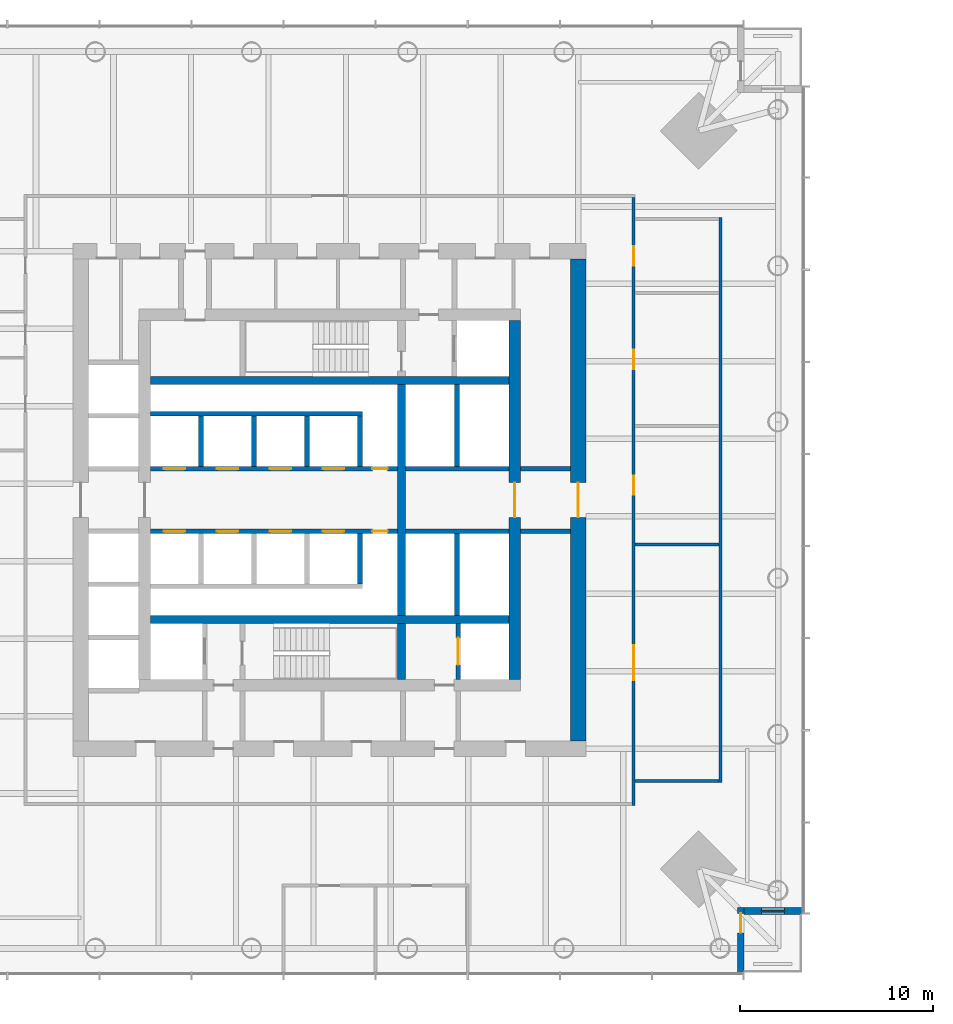
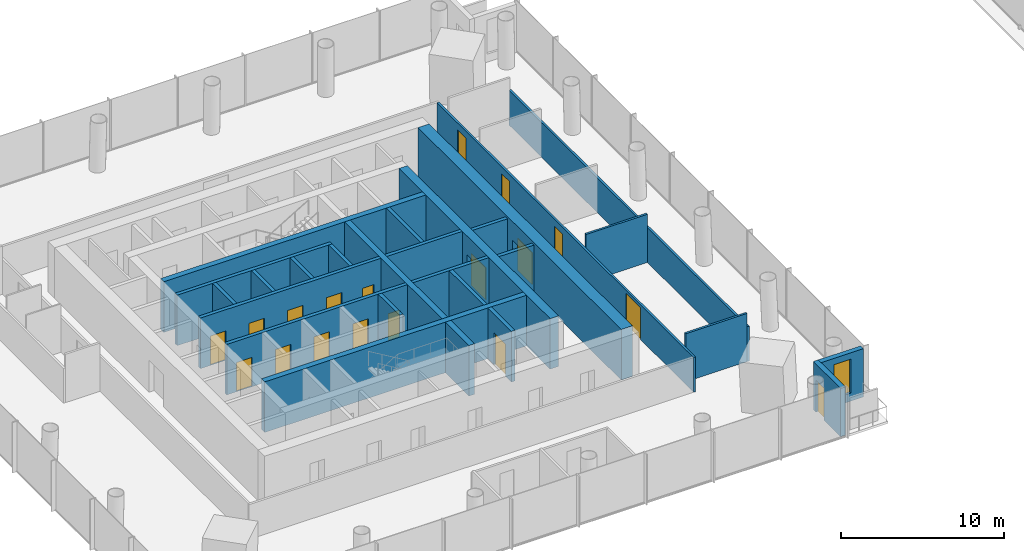
# One storey, part 10 of 21: 27 walls, 18 doors, 1 window, 19 openings.
"""IFC4 building model written with IfcOpenShell, lengths in metres."""

from ifc_helpers import new_model, si_unit, direction, frame, frame_2d, origin, place, context, subcontext, project, spatial, rectangle, extrude, material, layer, layer_set, type_object, element, fill, save


model = new_model("IFC4")

# Units and contexts
model_context = context("Model", 3, precision=1e-05, world=origin(), true_north=direction((0.0, 1.0)))
body_context = subcontext(model_context, "Body", "Model", "MODEL_VIEW")
ifc_project = project(units=[si_unit("LENGTHUNIT", "METRE"), si_unit("AREAUNIT", "SQUARE_METRE"), si_unit("VOLUMEUNIT", "CUBIC_METRE"), si_unit("PLANEANGLEUNIT", "RADIAN"), si_unit("MASSUNIT", "GRAM", prefix="KILO")], contexts=[model_context])

# Site, building, storey
site_placement = place(None, origin())
site = spatial("IfcSite", under=ifc_project, at=site_placement, CompositionType="ELEMENT")
building_placement = place(site_placement, origin())
building = spatial("IfcBuilding", under=site, at=building_placement, Name="Ostroluk Exchange", CompositionType="ELEMENT")
storey_placement = place(building_placement, frame((0.0, 0.0, 43.800048828125)))
storey = spatial("IfcBuildingStorey", under=building, at=storey_placement, Name="L10", CompositionType="ELEMENT", Elevation=43.800048828125)

# Walls
ifc_material_1 = material(Name="Concrete blockwork", Category="masonry")
ifc_layer_1 = layer(ifc_material_1, 0.25)
ifc_layer_set_1 = layer_set([ifc_layer_1], Name="Blockwork stair enclosure wall 250")
wall_type_1 = type_object("IfcWallType", Name="Blockwork stair enclosure wall 250", PredefinedType="SOLIDWALL", material=ifc_layer_set_1)
for number, where, z_axis, x_axis, name in (
    (1, (54.89990234375, 44.375, 0.0), (0.0, 0.0, 1.0), (1.0, 0.0, 0.0), "Lift lobby enclosure wall"),
    (2, (54.89990234375, 47.625, 0.0), (0.0, 0.0, 1.0), (1.0, 0.0, 0.0), "Lift lobby enclosure wall"),
):
    element("IfcWall", number, at=place(storey_placement, frame(where, z_axis=z_axis, x_axis=x_axis)), inside=storey, type_object=wall_type_1, Name=name, PredefinedType="SOLIDWALL", context=body_context, shape_type="SweptSolid", body=[
        extrude(rectangle(XDim=2.60009765625, YDim=0.25, at=frame_2d((1.300048828125, 0.0))), origin(), (0.0, 0.0, 1.0), 3.619873046875),
    ])
ifc_material_2 = material(Name="Concrete C50/60", Category="concrete")
ifc_layer_2 = layer(ifc_material_2, 0.39990234375)
ifc_layer_set_2 = layer_set([ifc_layer_2], Name="Core cross wall 400 C50/60")
wall_type_2 = type_object("IfcWallType", Name="Core cross wall 400 C50/60", PredefinedType="SHEAR", material=ifc_layer_set_2)
for number, where, z_axis, x_axis, name in (
    (3, (35.699951171875, 39.800048828125, 0.0), (0.0, 0.0, 1.0), (1.0, 0.0, 0.0), "T1 core wall XS"),
    (4, (35.699951171875, 52.199951171875, 0.0), (0.0, 0.0, 1.0), (1.0, 0.0, 0.0), "T1 core wall XN"),
):
    element("IfcWall", number, at=place(storey_placement, frame(where, z_axis=z_axis, x_axis=x_axis)), inside=storey, type_object=wall_type_2, Name=name, PredefinedType="SHEAR", context=body_context, shape_type="SweptSolid", body=[
        extrude(rectangle(XDim=18.60009765625, YDim=0.39990234375, at=frame_2d((9.300048828125, 0.0))), origin(), (0.0, 0.0, 1.0), 3.800048828125),
    ])
wall_1_placement = place(storey_placement, frame((48.72998046875, 36.699951171875, 0.0), z_axis=(0.0, 0.0, 1.0), x_axis=(0.0, 1.0, 0.0)))
element("IfcWall", 5, at=wall_1_placement, inside=storey, type_object=wall_type_2, Name="T1 core wall YE1", PredefinedType="SHEAR", context=body_context, shape_type="SweptSolid", body=[
    extrude(rectangle(XDim=2.900146484375, YDim=0.39990234375, at=frame_2d((1.4501953125, 0.0))), origin(), (0.0, 0.0, 1.0), 3.800048828125),
])
wall_2_placement = place(storey_placement, frame((48.72998046875, 40.0, 0.0), z_axis=(0.0, 0.0, 1.0), x_axis=(0.0, 1.0, 0.0)))
element("IfcWall", 6, at=wall_2_placement, inside=storey, type_object=wall_type_2, Name="T1 core wall YE2", PredefinedType="SHEAR", context=body_context, shape_type="SweptSolid", body=[
    extrude(rectangle(XDim=12.0, YDim=0.39990234375, at=frame_2d((6.0, 0.0))), origin(), (0.0, 0.0, 1.0), 3.800048828125),
])

# Wall, opening, door
ifc_material_3 = material(Name="Concrete C40/50", Category="concrete")
ifc_layer_3 = layer(ifc_material_3, 0.25)
ifc_layer_set_3 = layer_set([ifc_layer_3], Name="Core shaft wall 250")
wall_type_3 = type_object("IfcWallType", Name="Core shaft wall 250", PredefinedType="SHEAR", material=ifc_layer_set_3)
wall_3_placement = place(storey_placement, frame((51.675048828125, 36.699951171875, 0.0), z_axis=(0.0, 0.0, 1.0), x_axis=(0.0, 1.0, 0.0)))
wall_3 = element("IfcWall", 7, at=wall_3_placement, inside=storey, type_object=wall_type_3, Name="Service lift shaft wall", PredefinedType="SHEAR", context=body_context, shape_type="SweptSolid", body=[
    extrude(rectangle(XDim=2.900146484375, YDim=0.25, at=frame_2d((1.4501953125, 0.0))), origin(), (0.0, 0.0, 1.0), 3.800048828125),
])
opening_1_placement = place(wall_3_placement, frame((0.75, 0.0, 0.0)))
opening_1 = element("IfcOpeningElement", 8, at=opening_1_placement, cuts=wall_3, Name="Opening LD3", PredefinedType="OPENING", context=body_context, shape_type="SweptSolid", body=[
    extrude(rectangle(XDim=1.39990234375, YDim=2.39990234375, at=frame_2d((0.699951171875, 1.199951171875))), frame((0.0, 0.135009765625, 0.0), z_axis=(0.0, -1.0, 0.0), x_axis=(1.0, 0.0, 0.0)), (0.0, 0.0, 1.0), 0.27001953125),
])
ifc_material_4 = material(Name="Stainless steel", Category="steel")
door_type_1 = type_object("IfcDoorType", Name="Goods lift landing door E 60 1400 x 2400", OperationType="DOUBLE_DOOR_SLIDING", PredefinedType="DOOR", material=ifc_material_4)
door_1_placement = place(opening_1_placement, origin())
door_1 = element("IfcDoor", 9, at=door_1_placement, inside=storey, type_object=door_type_1, Name="Lift SL1 landing door", OperationType="DOUBLE_DOOR_SLIDING", OverallHeight=2.39990234375, OverallWidth=1.39990234375, PredefinedType="DOOR", context=body_context, shape_type="SweptSolid", body=[
    extrude(rectangle(XDim=1.39990234375, YDim=2.39990234375, at=frame_2d((0.699951171875, 1.199951171875))), frame((0.0, 0.02490234375, 0.0), z_axis=(0.0, -1.0, 0.0), x_axis=(1.0, 0.0, 0.0)), (0.0, 0.0, 1.0), 0.050048828125),
])
fill(opening_1, door_1)

# Walls
for number, where, z_axis, x_axis, name in (
    (10, (38.324951171875, 47.75, 0.0), (0.0, 0.0, 1.0), (0.0, 1.0, 0.0), "Lift shaft wall"),
    (11, (41.074951171875, 47.75, 0.0), (0.0, 0.0, 1.0), (0.0, 1.0, 0.0), "Lift shaft wall"),
    (12, (43.824951171875, 47.75, 0.0), (0.0, 0.0, 1.0), (0.0, 1.0, 0.0), "Lift shaft wall"),
    (13, (46.574951171875, 47.75, 0.0), (0.0, 0.0, 1.0), (0.0, 1.0, 0.0), "Lift shaft wall"),
):
    element("IfcWall", number, at=place(storey_placement, frame(where, z_axis=z_axis, x_axis=x_axis)), inside=storey, type_object=wall_type_3, Name=name, PredefinedType="SHEAR", context=body_context, shape_type="SweptSolid", body=[
        extrude(rectangle(XDim=2.60009765625, YDim=0.25, at=frame_2d((1.300048828125, 0.0))), origin(), (0.0, 0.0, 1.0), 3.800048828125),
    ])
wall_4_placement = place(storey_placement, frame((35.699951171875, 50.47509765625, 0.0), z_axis=(0.0, 0.0, 1.0), x_axis=(1.0, 0.0, 0.0)))
element("IfcWall", 14, at=wall_4_placement, inside=storey, type_object=wall_type_3, Name="Lift shaft wall", PredefinedType="SHEAR", context=body_context, shape_type="SweptSolid", body=[
    extrude(rectangle(XDim=11.0, YDim=0.25, at=frame_2d((5.5, 0.0))), origin(), (0.0, 0.0, 1.0), 3.800048828125),
])

# Wall, openings, doors
wall_5_placement = place(storey_placement, frame((35.699951171875, 47.625, 0.0), z_axis=(0.0, 0.0, 1.0), x_axis=(1.0, 0.0, 0.0)))
wall_5 = element("IfcWall", 15, at=wall_5_placement, inside=storey, type_object=wall_type_3, Name="Lift shaft front wall", PredefinedType="SHEAR", context=body_context, shape_type="SweptSolid", body=[
    extrude(rectangle(XDim=12.830078125, YDim=0.25, at=frame_2d((6.4150390625, 0.0))), origin(), (0.0, 0.0, 1.0), 3.800048828125),
])
opening_2_placement = place(wall_5_placement, frame((0.699951171875, 0.0, 0.0)))
opening_2 = element("IfcOpeningElement", 16, at=opening_2_placement, cuts=wall_5, Name="Opening LD", PredefinedType="OPENING", context=body_context, shape_type="SweptSolid", body=[
    extrude(rectangle(XDim=1.10009765625, YDim=2.199951171875, at=frame_2d((0.550048828125, 1.10009765625))), frame((0.0, 0.135009765625, 0.0), z_axis=(0.0, -1.0, 0.0), x_axis=(1.0, 0.0, 0.0)), (0.0, 0.0, 1.0), 0.27001953125),
])
opening_3_placement = place(wall_5_placement, frame((3.449951171875, 0.0, 0.0)))
opening_3 = element("IfcOpeningElement", 17, at=opening_3_placement, cuts=wall_5, Name="Opening LD", PredefinedType="OPENING", context=body_context, shape_type="SweptSolid", body=[
    extrude(rectangle(XDim=1.10009765625, YDim=2.199951171875, at=frame_2d((0.550048828125, 1.10009765625))), frame((0.0, 0.135009765625, 0.0), z_axis=(0.0, -1.0, 0.0), x_axis=(1.0, 0.0, 0.0)), (0.0, 0.0, 1.0), 0.27001953125),
])
opening_4_placement = place(wall_5_placement, frame((6.199951171875, 0.0, 0.0)))
opening_4 = element("IfcOpeningElement", 18, at=opening_4_placement, cuts=wall_5, Name="Opening LD", PredefinedType="OPENING", context=body_context, shape_type="SweptSolid", body=[
    extrude(rectangle(XDim=1.10009765625, YDim=2.199951171875, at=frame_2d((0.550048828125, 1.10009765625))), frame((0.0, 0.135009765625, 0.0), z_axis=(0.0, -1.0, 0.0), x_axis=(1.0, 0.0, 0.0)), (0.0, 0.0, 1.0), 0.27001953125),
])
opening_5_placement = place(wall_5_placement, frame((8.949951171875, 0.0, 0.0)))
opening_5 = element("IfcOpeningElement", 19, at=opening_5_placement, cuts=wall_5, Name="Opening LD", PredefinedType="OPENING", context=body_context, shape_type="SweptSolid", body=[
    extrude(rectangle(XDim=1.10009765625, YDim=2.199951171875, at=frame_2d((0.550048828125, 1.10009765625))), frame((0.0, 0.135009765625, 0.0), z_axis=(0.0, -1.0, 0.0), x_axis=(1.0, 0.0, 0.0)), (0.0, 0.0, 1.0), 0.27001953125),
])
opening_6_placement = place(wall_5_placement, frame((11.514892578125, 0.0, 0.0)))
opening_6 = element("IfcOpeningElement", 20, at=opening_6_placement, cuts=wall_5, Name="Opening RD60", PredefinedType="OPENING", context=body_context, shape_type="SweptSolid", body=[
    extrude(rectangle(XDim=0.800048828125, YDim=2.0, at=frame_2d((0.39990234375, 1.0))), frame((0.0, 0.135009765625, 0.0), z_axis=(0.0, -1.0, 0.0), x_axis=(1.0, 0.0, 0.0)), (0.0, 0.0, 1.0), 0.27001953125),
])
ifc_material_5 = material(Name="Stainless steel", Category="steel")
door_type_2 = type_object("IfcDoorType", Name="Lift landing door E 60 1100 x 2200", OperationType="DOUBLE_DOOR_SLIDING", PredefinedType="DOOR", material=ifc_material_5)
door_2_placement = place(opening_2_placement, origin())
door_2 = element("IfcDoor", 21, at=door_2_placement, inside=storey, type_object=door_type_2, Name="Lift PL-L1 landing door", OperationType="DOUBLE_DOOR_SLIDING", OverallHeight=2.199951171875, OverallWidth=1.10009765625, PredefinedType="DOOR", context=body_context, shape_type="SweptSolid", body=[
    extrude(rectangle(XDim=1.10009765625, YDim=2.199951171875, at=frame_2d((0.550048828125, 1.10009765625))), frame((0.0, 0.02490234375, 0.0), z_axis=(0.0, -1.0, 0.0), x_axis=(1.0, 0.0, 0.0)), (0.0, 0.0, 1.0), 0.050048828125),
])
fill(opening_2, door_2)
door_3_placement = place(opening_3_placement, origin())
door_3 = element("IfcDoor", 22, at=door_3_placement, inside=storey, type_object=door_type_2, Name="Lift PL-L2 landing door", OperationType="DOUBLE_DOOR_SLIDING", OverallHeight=2.199951171875, OverallWidth=1.10009765625, PredefinedType="DOOR", context=body_context, shape_type="SweptSolid", body=[
    extrude(rectangle(XDim=1.10009765625, YDim=2.199951171875, at=frame_2d((0.550048828125, 1.10009765625))), frame((0.0, 0.02490234375, 0.0), z_axis=(0.0, -1.0, 0.0), x_axis=(1.0, 0.0, 0.0)), (0.0, 0.0, 1.0), 0.050048828125),
])
fill(opening_3, door_3)
door_4_placement = place(opening_4_placement, origin())
door_4 = element("IfcDoor", 23, at=door_4_placement, inside=storey, type_object=door_type_2, Name="Lift PL-L3 landing door", OperationType="DOUBLE_DOOR_SLIDING", OverallHeight=2.199951171875, OverallWidth=1.10009765625, PredefinedType="DOOR", context=body_context, shape_type="SweptSolid", body=[
    extrude(rectangle(XDim=1.10009765625, YDim=2.199951171875, at=frame_2d((0.550048828125, 1.10009765625))), frame((0.0, 0.02490234375, 0.0), z_axis=(0.0, -1.0, 0.0), x_axis=(1.0, 0.0, 0.0)), (0.0, 0.0, 1.0), 0.050048828125),
])
fill(opening_4, door_4)
door_5_placement = place(opening_5_placement, origin())
door_5 = element("IfcDoor", 24, at=door_5_placement, inside=storey, type_object=door_type_2, Name="Lift PL-L4 landing door", OperationType="DOUBLE_DOOR_SLIDING", OverallHeight=2.199951171875, OverallWidth=1.10009765625, PredefinedType="DOOR", context=body_context, shape_type="SweptSolid", body=[
    extrude(rectangle(XDim=1.10009765625, YDim=2.199951171875, at=frame_2d((0.550048828125, 1.10009765625))), frame((0.0, 0.02490234375, 0.0), z_axis=(0.0, -1.0, 0.0), x_axis=(1.0, 0.0, 0.0)), (0.0, 0.0, 1.0), 0.050048828125),
])
fill(opening_5, door_5)
ifc_material_6 = material(Name="Steel", Category="steel")
door_type_3 = type_object("IfcDoorType", Name="Riser access door EI 60 800 x 2000", OperationType="SINGLE_SWING_LEFT", PredefinedType="DOOR", material=ifc_material_6)
door_6_placement = place(opening_6_placement, origin())
door_6 = element("IfcDoor", 25, at=door_6_placement, inside=storey, type_object=door_type_3, Name="Riser access door", OperationType="SINGLE_SWING_RIGHT", OverallHeight=2.0, OverallWidth=0.800048828125, PredefinedType="DOOR", context=body_context, shape_type="SweptSolid", body=[
    extrude(rectangle(XDim=0.800048828125, YDim=2.0, at=frame_2d((0.39990234375, 1.0))), frame((0.0, 0.02490234375, 0.0), z_axis=(0.0, -1.0, 0.0), x_axis=(1.0, 0.0, 0.0)), (0.0, 0.0, 1.0), 0.050048828125),
])
fill(opening_6, door_6)

# Wall
wall_6_placement = place(storey_placement, frame((46.574951171875, 44.25, 0.0), z_axis=(0.0, 0.0, 1.0), x_axis=(0.0, -1.0, 0.0)))
element("IfcWall", 26, at=wall_6_placement, inside=storey, type_object=wall_type_3, Name="Lift shaft wall", PredefinedType="SHEAR", context=body_context, shape_type="SweptSolid", body=[
    extrude(rectangle(XDim=2.60009765625, YDim=0.25, at=frame_2d((1.300048828125, 0.0))), origin(), (0.0, 0.0, 1.0), 3.800048828125),
])

# Wall, openings, doors
wall_7_placement = place(storey_placement, frame((35.699951171875, 44.375, 0.0), z_axis=(0.0, 0.0, 1.0), x_axis=(1.0, 0.0, 0.0)))
wall_7 = element("IfcWall", 27, at=wall_7_placement, inside=storey, type_object=wall_type_3, Name="Lift shaft front wall", PredefinedType="SHEAR", context=body_context, shape_type="SweptSolid", body=[
    extrude(rectangle(XDim=12.830078125, YDim=0.25, at=frame_2d((6.4150390625, 0.0))), origin(), (0.0, 0.0, 1.0), 3.800048828125),
])
opening_7_placement = place(wall_7_placement, frame((0.699951171875, 0.0, 0.0)))
opening_7 = element("IfcOpeningElement", 28, at=opening_7_placement, cuts=wall_7, Name="Opening LD", PredefinedType="OPENING", context=body_context, shape_type="SweptSolid", body=[
    extrude(rectangle(XDim=1.10009765625, YDim=2.199951171875, at=frame_2d((0.550048828125, 1.10009765625))), frame((0.0, 0.135009765625, 0.0), z_axis=(0.0, -1.0, 0.0), x_axis=(1.0, 0.0, 0.0)), (0.0, 0.0, 1.0), 0.27001953125),
])
opening_8_placement = place(wall_7_placement, frame((3.449951171875, 0.0, 0.0)))
opening_8 = element("IfcOpeningElement", 29, at=opening_8_placement, cuts=wall_7, Name="Opening LD", PredefinedType="OPENING", context=body_context, shape_type="SweptSolid", body=[
    extrude(rectangle(XDim=1.10009765625, YDim=2.199951171875, at=frame_2d((0.550048828125, 1.10009765625))), frame((0.0, 0.135009765625, 0.0), z_axis=(0.0, -1.0, 0.0), x_axis=(1.0, 0.0, 0.0)), (0.0, 0.0, 1.0), 0.27001953125),
])
opening_9_placement = place(wall_7_placement, frame((6.199951171875, 0.0, 0.0)))
opening_9 = element("IfcOpeningElement", 30, at=opening_9_placement, cuts=wall_7, Name="Opening LD", PredefinedType="OPENING", context=body_context, shape_type="SweptSolid", body=[
    extrude(rectangle(XDim=1.10009765625, YDim=2.199951171875, at=frame_2d((0.550048828125, 1.10009765625))), frame((0.0, 0.135009765625, 0.0), z_axis=(0.0, -1.0, 0.0), x_axis=(1.0, 0.0, 0.0)), (0.0, 0.0, 1.0), 0.27001953125),
])
opening_10_placement = place(wall_7_placement, frame((8.949951171875, 0.0, 0.0)))
opening_10 = element("IfcOpeningElement", 31, at=opening_10_placement, cuts=wall_7, Name="Opening LD", PredefinedType="OPENING", context=body_context, shape_type="SweptSolid", body=[
    extrude(rectangle(XDim=1.10009765625, YDim=2.199951171875, at=frame_2d((0.550048828125, 1.10009765625))), frame((0.0, 0.135009765625, 0.0), z_axis=(0.0, -1.0, 0.0), x_axis=(1.0, 0.0, 0.0)), (0.0, 0.0, 1.0), 0.27001953125),
])
opening_11_placement = place(wall_7_placement, frame((11.514892578125, 0.0, 0.0)))
opening_11 = element("IfcOpeningElement", 32, at=opening_11_placement, cuts=wall_7, Name="Opening RD60", PredefinedType="OPENING", context=body_context, shape_type="SweptSolid", body=[
    extrude(rectangle(XDim=0.800048828125, YDim=2.0, at=frame_2d((0.39990234375, 1.0))), frame((0.0, 0.135009765625, 0.0), z_axis=(0.0, -1.0, 0.0), x_axis=(1.0, 0.0, 0.0)), (0.0, 0.0, 1.0), 0.27001953125),
])
door_7_placement = place(opening_7_placement, origin())
door_7 = element("IfcDoor", 33, at=door_7_placement, inside=storey, type_object=door_type_2, Name="Lift PL-L5 landing door", OperationType="DOUBLE_DOOR_SLIDING", OverallHeight=2.199951171875, OverallWidth=1.10009765625, PredefinedType="DOOR", context=body_context, shape_type="SweptSolid", body=[
    extrude(rectangle(XDim=1.10009765625, YDim=2.199951171875, at=frame_2d((0.550048828125, 1.10009765625))), frame((0.0, 0.02490234375, 0.0), z_axis=(0.0, -1.0, 0.0), x_axis=(1.0, 0.0, 0.0)), (0.0, 0.0, 1.0), 0.050048828125),
])
fill(opening_7, door_7)
door_8_placement = place(opening_8_placement, origin())
door_8 = element("IfcDoor", 34, at=door_8_placement, inside=storey, type_object=door_type_2, Name="Lift PL-L6 landing door", OperationType="DOUBLE_DOOR_SLIDING", OverallHeight=2.199951171875, OverallWidth=1.10009765625, PredefinedType="DOOR", context=body_context, shape_type="SweptSolid", body=[
    extrude(rectangle(XDim=1.10009765625, YDim=2.199951171875, at=frame_2d((0.550048828125, 1.10009765625))), frame((0.0, 0.02490234375, 0.0), z_axis=(0.0, -1.0, 0.0), x_axis=(1.0, 0.0, 0.0)), (0.0, 0.0, 1.0), 0.050048828125),
])
fill(opening_8, door_8)
door_9_placement = place(opening_9_placement, origin())
door_9 = element("IfcDoor", 35, at=door_9_placement, inside=storey, type_object=door_type_2, Name="Lift PL-L7 landing door", OperationType="DOUBLE_DOOR_SLIDING", OverallHeight=2.199951171875, OverallWidth=1.10009765625, PredefinedType="DOOR", context=body_context, shape_type="SweptSolid", body=[
    extrude(rectangle(XDim=1.10009765625, YDim=2.199951171875, at=frame_2d((0.550048828125, 1.10009765625))), frame((0.0, 0.02490234375, 0.0), z_axis=(0.0, -1.0, 0.0), x_axis=(1.0, 0.0, 0.0)), (0.0, 0.0, 1.0), 0.050048828125),
])
fill(opening_9, door_9)
door_10_placement = place(opening_10_placement, origin())
door_10 = element("IfcDoor", 36, at=door_10_placement, inside=storey, type_object=door_type_2, Name="Lift PL-L8 landing door", OperationType="DOUBLE_DOOR_SLIDING", OverallHeight=2.199951171875, OverallWidth=1.10009765625, PredefinedType="DOOR", context=body_context, shape_type="SweptSolid", body=[
    extrude(rectangle(XDim=1.10009765625, YDim=2.199951171875, at=frame_2d((0.550048828125, 1.10009765625))), frame((0.0, 0.02490234375, 0.0), z_axis=(0.0, -1.0, 0.0), x_axis=(1.0, 0.0, 0.0)), (0.0, 0.0, 1.0), 0.050048828125),
])
fill(opening_10, door_10)
door_11_placement = place(opening_11_placement, origin())
door_11 = element("IfcDoor", 37, at=door_11_placement, inside=storey, type_object=door_type_3, Name="Riser access door", OperationType="SINGLE_SWING_RIGHT", OverallHeight=2.0, OverallWidth=0.800048828125, PredefinedType="DOOR", context=body_context, shape_type="SweptSolid", body=[
    extrude(rectangle(XDim=0.800048828125, YDim=2.0, at=frame_2d((0.39990234375, 1.0))), frame((0.0, 0.02490234375, 0.0), z_axis=(0.0, -1.0, 0.0), x_axis=(1.0, 0.0, 0.0)), (0.0, 0.0, 1.0), 0.050048828125),
])
fill(opening_11, door_11)

# Walls
wall_8_placement = place(storey_placement, frame((51.614990234375, 47.75, 0.0), z_axis=(0.0, 0.0, 1.0), x_axis=(0.0, 1.0, 0.0)))
element("IfcWall", 38, at=wall_8_placement, inside=storey, type_object=wall_type_3, Name="Lift shaft wall", PredefinedType="SHEAR", context=body_context, shape_type="SweptSolid", body=[
    extrude(rectangle(XDim=4.25, YDim=0.25, at=frame_2d((2.125, 0.0))), origin(), (0.0, 0.0, 1.0), 3.800048828125),
])
wall_9_placement = place(storey_placement, frame((48.929931640625, 47.625, 0.0), z_axis=(0.0, 0.0, 1.0), x_axis=(1.0, 0.0, 0.0)))
element("IfcWall", 39, at=wall_9_placement, inside=storey, type_object=wall_type_3, Name="Lift shaft front wall", PredefinedType="SHEAR", context=body_context, shape_type="SweptSolid", body=[
    extrude(rectangle(XDim=5.3701171875, YDim=0.25, at=frame_2d((2.68505859375, 0.0))), origin(), (0.0, 0.0, 1.0), 3.800048828125),
])
wall_10_placement = place(storey_placement, frame((51.614990234375, 44.25, 0.0), z_axis=(0.0, 0.0, 1.0), x_axis=(0.0, -1.0, 0.0)))
element("IfcWall", 40, at=wall_10_placement, inside=storey, type_object=wall_type_3, Name="Lift shaft wall", PredefinedType="SHEAR", context=body_context, shape_type="SweptSolid", body=[
    extrude(rectangle(XDim=4.25, YDim=0.25, at=frame_2d((2.125, 0.0))), origin(), (0.0, 0.0, 1.0), 3.800048828125),
])
wall_11_placement = place(storey_placement, frame((48.929931640625, 44.375, 0.0), z_axis=(0.0, 0.0, 1.0), x_axis=(1.0, 0.0, 0.0)))
element("IfcWall", 41, at=wall_11_placement, inside=storey, type_object=wall_type_3, Name="Lift shaft front wall", PredefinedType="SHEAR", context=body_context, shape_type="SweptSolid", body=[
    extrude(rectangle(XDim=5.3701171875, YDim=0.25, at=frame_2d((2.68505859375, 0.0))), origin(), (0.0, 0.0, 1.0), 3.800048828125),
])

# Wall, opening, door
ifc_material_7 = material(Name="Concrete C50/60", Category="concrete")
ifc_layer_4 = layer(ifc_material_7, 0.60009765625)
ifc_layer_set_4 = layer_set([ifc_layer_4], Name="Core wall 600 C50/60")
wall_type_4 = type_object("IfcWallType", Name="Core wall 600 C50/60", PredefinedType="SHEAR", material=ifc_layer_set_4)
wall_12_placement = place(storey_placement, frame((54.60009765625, 36.699951171875, 0.0), z_axis=(0.0, 0.0, 1.0), x_axis=(0.0, 1.0, 0.0)))
wall_12 = element("IfcWall", 42, at=wall_12_placement, inside=storey, type_object=wall_type_4, Name="T1 core wall E", PredefinedType="SHEAR", context=body_context, shape_type="SweptSolid", body=[
    extrude(rectangle(XDim=18.60009765625, YDim=0.60009765625, at=frame_2d((9.300048828125, 0.0))), origin(), (0.0, 0.0, 1.0), 3.800048828125),
])
opening_12_placement = place(wall_12_placement, frame((8.39990234375, 0.0, 0.0)))
opening_12 = element("IfcOpeningElement", 43, at=opening_12_placement, cuts=wall_12, Name="Opening FD30D", PredefinedType="OPENING", context=body_context, shape_type="SweptSolid", body=[
    extrude(rectangle(XDim=1.800048828125, YDim=2.39990234375, at=frame_2d((0.89990234375, 1.199951171875))), frame((0.0, 0.31005859375, 0.0), z_axis=(0.0, -1.0, 0.0), x_axis=(1.0, 0.0, 0.0)), (0.0, 0.0, 1.0), 0.6201171875),
])
ifc_material_8 = material(Name="Timber", Category="wood")
door_type_4 = type_object("IfcDoorType", Name="Lobby double door EI 30 1800 x 2400", OperationType="DOUBLE_DOOR_SINGLE_SWING", PredefinedType="DOOR", material=ifc_material_8)
door_12_placement = place(opening_12_placement, origin())
door_12 = element("IfcDoor", 44, at=door_12_placement, inside=storey, type_object=door_type_4, Name="Lift lobby doors", OperationType="DOUBLE_DOOR_SINGLE_SWING", OverallHeight=2.39990234375, OverallWidth=1.800048828125, PredefinedType="DOOR", context=body_context, shape_type="SweptSolid", body=[
    extrude(rectangle(XDim=1.800048828125, YDim=2.39990234375, at=frame_2d((0.89990234375, 1.199951171875))), frame((0.0, 0.02490234375, 0.0), z_axis=(0.0, -1.0, 0.0), x_axis=(1.0, 0.0, 0.0)), (0.0, 0.0, 1.0), 0.050048828125),
])
fill(opening_12, door_12)

ifc_material_9 = material(Name="Concrete C50/60", Category="concrete")
ifc_layer_5 = layer(ifc_material_9, 0.800048828125)
ifc_layer_set_5 = layer_set([ifc_layer_5], Name="Core wall 800 C50/60")
wall_type_5 = type_object("IfcWallType", Name="Core wall 800 C50/60", PredefinedType="SHEAR", material=ifc_layer_set_5)
wall_13_placement = place(storey_placement, frame((57.89990234375, 33.5, 0.0), z_axis=(0.0, 0.0, 1.0), x_axis=(0.0, 1.0, 0.0)))
wall_13 = element("IfcWall", 45, at=wall_13_placement, inside=storey, type_object=wall_type_5, Name="T1 core wall RE", PredefinedType="SHEAR", context=body_context, shape_type="SweptSolid", body=[
    extrude(rectangle(XDim=25.0, YDim=0.800048828125, at=frame_2d((12.5, 0.0))), origin(), (0.0, 0.0, 1.0), 3.800048828125),
])
opening_13_placement = place(wall_13_placement, frame((11.60009765625, 0.0, 0.0)))
opening_13 = element("IfcOpeningElement", 46, at=opening_13_placement, cuts=wall_13, Name="Opening FD30D", PredefinedType="OPENING", context=body_context, shape_type="SweptSolid", body=[
    extrude(rectangle(XDim=1.800048828125, YDim=2.39990234375, at=frame_2d((0.89990234375, 1.199951171875))), frame((0.0, 0.409912109375, 0.0), z_axis=(0.0, -1.0, 0.0), x_axis=(1.0, 0.0, 0.0)), (0.0, 0.0, 1.0), 0.820068359375),
])
door_13_placement = place(opening_13_placement, origin())
door_13 = element("IfcDoor", 47, at=door_13_placement, inside=storey, type_object=door_type_4, Name="Lift lobby doors", OperationType="DOUBLE_DOOR_SINGLE_SWING", OverallHeight=2.39990234375, OverallWidth=1.800048828125, PredefinedType="DOOR", context=body_context, shape_type="SweptSolid", body=[
    extrude(rectangle(XDim=1.800048828125, YDim=2.39990234375, at=frame_2d((0.89990234375, 1.199951171875))), frame((0.0, 0.02490234375, 0.0), z_axis=(0.0, -1.0, 0.0), x_axis=(1.0, 0.0, 0.0)), (0.0, 0.0, 1.0), 0.050048828125),
])
fill(opening_13, door_13)

ifc_material_10 = material(Name="Limestone", Category="masonry")
ifc_layer_6 = layer(ifc_material_10, 0.35009765625)
ifc_layer_set_6 = layer_set([ifc_layer_6], Name="Limestone facade wall 350")
wall_type_6 = type_object("IfcWallType", Name="Limestone facade wall 350", PredefinedType="SOLIDWALL", material=ifc_layer_set_6)
wall_14_placement = place(storey_placement, frame((66.324951171875, 21.5, 0.0), z_axis=(0.0, 0.0, 1.0), x_axis=(0.0, 1.0, 0.0)))
wall_14 = element("IfcWall", 48, at=wall_14_placement, inside=storey, type_object=wall_type_6, Name="Office tower SE corner wall L10 a", PredefinedType="SOLIDWALL", context=body_context, shape_type="SweptSolid", body=[
    extrude(rectangle(XDim=3.35009765625, YDim=0.35009765625, at=frame_2d((1.675048828125, 0.0))), origin(), (0.0, 0.0, 1.0), 3.619873046875),
])
opening_14_placement = place(wall_14_placement, frame((2.050048828125, 0.0, 0.0)))
opening_14 = element("IfcOpeningElement", 49, at=opening_14_placement, cuts=wall_14, Name="Opening D-B1", PredefinedType="OPENING", context=body_context, shape_type="SweptSolid", body=[
    extrude(rectangle(XDim=1.0, YDim=2.39990234375, at=frame_2d((0.5, 1.199951171875))), frame((0.0, 0.18505859375, 0.0), z_axis=(0.0, -1.0, 0.0), x_axis=(1.0, 0.0, 0.0)), (0.0, 0.0, 1.0), 0.3701171875),
])
ifc_material_11 = material(Name="Bronze framed glazed door", Category="aluminium")
door_type_5 = type_object("IfcDoorType", Name="Balcony door 1000 x 2400", OperationType="SINGLE_SWING_LEFT", PredefinedType="DOOR", material=ifc_material_11)
door_14_placement = place(opening_14_placement, origin())
door_14 = element("IfcDoor", 50, at=door_14_placement, inside=storey, type_object=door_type_5, Name="Office tower SE balcony door L10", OperationType="SINGLE_SWING_RIGHT", OverallHeight=2.39990234375, OverallWidth=1.0, PredefinedType="DOOR", context=body_context, shape_type="SweptSolid", body=[
    extrude(rectangle(XDim=1.0, YDim=2.39990234375, at=frame_2d((0.5, 1.199951171875))), frame((0.0, 0.02490234375, 0.0), z_axis=(0.0, -1.0, 0.0), x_axis=(1.0, 0.0, 0.0)), (0.0, 0.0, 1.0), 0.050048828125),
])
fill(opening_14, door_14)

# Wall, opening, window
wall_15_placement = place(storey_placement, frame((66.5, 24.675048828125, 0.0), z_axis=(0.0, 0.0, 1.0), x_axis=(1.0, 0.0, 0.0)))
wall_15 = element("IfcWall", 51, at=wall_15_placement, inside=storey, type_object=wall_type_6, Name="Office tower SE corner wall L10 b", PredefinedType="SOLIDWALL", context=body_context, shape_type="SweptSolid", body=[
    extrude(rectangle(XDim=3.0, YDim=0.35009765625, at=frame_2d((1.5, 0.0))), origin(), (0.0, 0.0, 1.0), 3.619873046875),
])
opening_15_placement = place(wall_15_placement, frame((0.89990234375, 0.0, 0.60009765625)))
opening_15 = element("IfcOpeningElement", 52, at=opening_15_placement, cuts=wall_15, Name="Opening WN-L1", PredefinedType="OPENING", context=body_context, shape_type="SweptSolid", body=[
    extrude(rectangle(XDim=1.199951171875, YDim=2.550048828125, at=frame_2d((0.60009765625, 1.27490234375))), frame((0.0, 0.18505859375, 0.0), z_axis=(0.0, -1.0, 0.0), x_axis=(1.0, 0.0, 0.0)), (0.0, 0.0, 1.0), 0.3701171875),
])
ifc_material_12 = material(Name="Laminated clear glass", Category="glass")
window_type = type_object("IfcWindowType", Name="Lancet window 1200 x 2550", PartitioningType="SINGLE_PANEL", PredefinedType="WINDOW", material=ifc_material_12)
window_placement = place(opening_15_placement, origin())
window = element("IfcWindow", 53, at=window_placement, inside=storey, type_object=window_type, Name="Office tower SE lancet window L10", OverallHeight=2.550048828125, OverallWidth=1.199951171875, PartitioningType="SINGLE_PANEL", PredefinedType="WINDOW", context=body_context, shape_type="SweptSolid", body=[
    extrude(rectangle(XDim=1.199951171875, YDim=2.550048828125, at=frame_2d((0.60009765625, 1.27490234375))), frame((0.0, 0.030029296875, 0.0), z_axis=(0.0, -1.0, 0.0), x_axis=(1.0, 0.0, 0.0)), (0.0, 0.0, 1.0), 0.06005859375),
])
fill(opening_15, window)

# Walls
ifc_material_13 = material(Name="Gypsum plasterboard partition", Category="gypsum")
ifc_layer_7 = layer(ifc_material_13, 0.14990234375)
ifc_layer_set_7 = layer_set([ifc_layer_7], Name="Plasterboard partition 150")
wall_type_7 = type_object("IfcWallType", Name="Plasterboard partition 150", PredefinedType="PARTITIONING", material=ifc_layer_set_7)
for number, where, z_axis, x_axis, name in (
    (54, (60.85009765625, 31.425048828125, 0.0), (0.0, 0.0, 1.0), (1.0, 0.0, 0.0), "Partition"),
    (55, (60.85009765625, 43.69873046875, 0.0), (0.0, 0.0, 1.0), (1.0, 0.0, 0.0), "Partition"),
):
    element("IfcWall", number, at=place(storey_placement, frame(where, z_axis=z_axis, x_axis=x_axis)), inside=storey, type_object=wall_type_7, Name=name, PredefinedType="PARTITIONING", context=body_context, shape_type="SweptSolid", body=[
        extrude(rectangle(XDim=4.349853515625, YDim=0.14990234375, at=frame_2d((2.1748046875, 0.0))), origin(), (0.0, 0.0, 1.0), 3.619873046875),
    ])
wall_16_placement = place(storey_placement, frame((65.27490234375, 31.35009765625, 0.0), z_axis=(0.0, 0.0, 1.0), x_axis=(0.0, 1.0, 0.0)))
element("IfcWall", 56, at=wall_16_placement, inside=storey, type_object=wall_type_7, Name="Partition", PredefinedType="PARTITIONING", context=body_context, shape_type="SweptSolid", body=[
    extrude(rectangle(XDim=29.2998046875, YDim=0.14990234375, at=frame_2d((14.64990234375, 0.0))), origin(), (0.0, 0.0, 1.0), 2.612060546875),
])

# Wall, openings, doors
wall_17_placement = place(storey_placement, frame((60.77490234375, 30.14990234375, 0.0), z_axis=(0.0, 0.0, 1.0), x_axis=(0.0, 1.0, 0.0)))
wall_17 = element("IfcWall", 57, at=wall_17_placement, inside=storey, type_object=wall_type_7, Name="Corridor wall", PredefinedType="PARTITIONING", context=body_context, shape_type="SweptSolid", body=[
    extrude(rectangle(XDim=31.550048828125, YDim=0.14990234375, at=frame_2d((15.77490234375, 0.0))), origin(), (0.0, 0.0, 1.0), 2.612060546875),
])
opening_16_placement = place(wall_17_placement, frame((6.511962890625, 0.0, 0.0)))
opening_16 = element("IfcOpeningElement", 58, at=opening_16_placement, cuts=wall_17, Name="Opening D-04", PredefinedType="OPENING", context=body_context, shape_type="SweptSolid", body=[
    extrude(rectangle(XDim=1.800048828125, YDim=2.39990234375, at=frame_2d((0.89990234375, 1.199951171875))), frame((0.0, 0.0849609375, 0.0), z_axis=(0.0, -1.0, 0.0), x_axis=(1.0, 0.0, 0.0)), (0.0, 0.0, 1.0), 0.169921875),
])
opening_17_placement = place(wall_17_placement, frame((16.1171875, 0.0, 0.0)))
opening_17 = element("IfcOpeningElement", 59, at=opening_17_placement, cuts=wall_17, Name="Opening D-03", PredefinedType="OPENING", context=body_context, shape_type="SweptSolid", body=[
    extrude(rectangle(XDim=1.0, YDim=2.10009765625, at=frame_2d((0.5, 1.050048828125))), frame((0.0, 0.0849609375, 0.0), z_axis=(0.0, -1.0, 0.0), x_axis=(1.0, 0.0, 0.0)), (0.0, 0.0, 1.0), 0.169921875),
])
opening_18_placement = place(wall_17_placement, frame((22.637451171875, 0.0, 0.0)))
opening_18 = element("IfcOpeningElement", 60, at=opening_18_placement, cuts=wall_17, Name="Opening D-03", PredefinedType="OPENING", context=body_context, shape_type="SweptSolid", body=[
    extrude(rectangle(XDim=1.0, YDim=2.10009765625, at=frame_2d((0.5, 1.050048828125))), frame((0.0, 0.0849609375, 0.0), z_axis=(0.0, -1.0, 0.0), x_axis=(1.0, 0.0, 0.0)), (0.0, 0.0, 1.0), 0.169921875),
])
opening_19_placement = place(wall_17_placement, frame((28.00732421875, 0.0, 0.0)))
opening_19 = element("IfcOpeningElement", 61, at=opening_19_placement, cuts=wall_17, Name="Opening D-03", PredefinedType="OPENING", context=body_context, shape_type="SweptSolid", body=[
    extrude(rectangle(XDim=1.0, YDim=2.10009765625, at=frame_2d((0.5, 1.050048828125))), frame((0.0, 0.0849609375, 0.0), z_axis=(0.0, -1.0, 0.0), x_axis=(1.0, 0.0, 0.0)), (0.0, 0.0, 1.0), 0.169921875),
])
ifc_material_14 = material(Name="Timber", Category="wood")
door_type_6 = type_object("IfcDoorType", Name="Double door 1800 x 2400", OperationType="DOUBLE_DOOR_SINGLE_SWING", PredefinedType="DOOR", material=ifc_material_14)
door_15_placement = place(opening_16_placement, origin())
door_15 = element("IfcDoor", 62, at=door_15_placement, inside=storey, type_object=door_type_6, Name="Boardroom door", OperationType="DOUBLE_DOOR_SINGLE_SWING", OverallHeight=2.39990234375, OverallWidth=1.800048828125, PredefinedType="DOOR", context=body_context, shape_type="SweptSolid", body=[
    extrude(rectangle(XDim=1.800048828125, YDim=2.39990234375, at=frame_2d((0.89990234375, 1.199951171875))), frame((0.0, 0.02490234375, 0.0), z_axis=(0.0, -1.0, 0.0), x_axis=(1.0, 0.0, 0.0)), (0.0, 0.0, 1.0), 0.050048828125),
])
fill(opening_16, door_15)
ifc_material_15 = material(Name="Timber", Category="wood")
door_type_7 = type_object("IfcDoorType", Name="Internal door 1000 x 2100", OperationType="SINGLE_SWING_LEFT", PredefinedType="DOOR", material=ifc_material_15)
door_16_placement = place(opening_17_placement, origin())
door_16 = element("IfcDoor", 63, at=door_16_placement, inside=storey, type_object=door_type_7, Name="Meeting room door", OperationType="SINGLE_SWING_RIGHT", OverallHeight=2.10009765625, OverallWidth=1.0, PredefinedType="DOOR", context=body_context, shape_type="SweptSolid", body=[
    extrude(rectangle(XDim=1.0, YDim=2.10009765625, at=frame_2d((0.5, 1.050048828125))), frame((0.0, 0.02490234375, 0.0), z_axis=(0.0, -1.0, 0.0), x_axis=(1.0, 0.0, 0.0)), (0.0, 0.0, 1.0), 0.050048828125),
])
fill(opening_17, door_16)
door_17_placement = place(opening_18_placement, origin())
door_17 = element("IfcDoor", 64, at=door_17_placement, inside=storey, type_object=door_type_7, Name="Pantry door", OperationType="SINGLE_SWING_RIGHT", OverallHeight=2.10009765625, OverallWidth=1.0, PredefinedType="DOOR", context=body_context, shape_type="SweptSolid", body=[
    extrude(rectangle(XDim=1.0, YDim=2.10009765625, at=frame_2d((0.5, 1.050048828125))), frame((0.0, 0.02490234375, 0.0), z_axis=(0.0, -1.0, 0.0), x_axis=(1.0, 0.0, 0.0)), (0.0, 0.0, 1.0), 0.050048828125),
])
fill(opening_18, door_17)
door_18_placement = place(opening_19_placement, origin())
door_18 = element("IfcDoor", 65, at=door_18_placement, inside=storey, type_object=door_type_7, Name="Print and store room door", OperationType="SINGLE_SWING_RIGHT", OverallHeight=2.10009765625, OverallWidth=1.0, PredefinedType="DOOR", context=body_context, shape_type="SweptSolid", body=[
    extrude(rectangle(XDim=1.0, YDim=2.10009765625, at=frame_2d((0.5, 1.050048828125))), frame((0.0, 0.02490234375, 0.0), z_axis=(0.0, -1.0, 0.0), x_axis=(1.0, 0.0, 0.0)), (0.0, 0.0, 1.0), 0.050048828125),
])
fill(opening_19, door_18)

save(model, "model.ifc")
